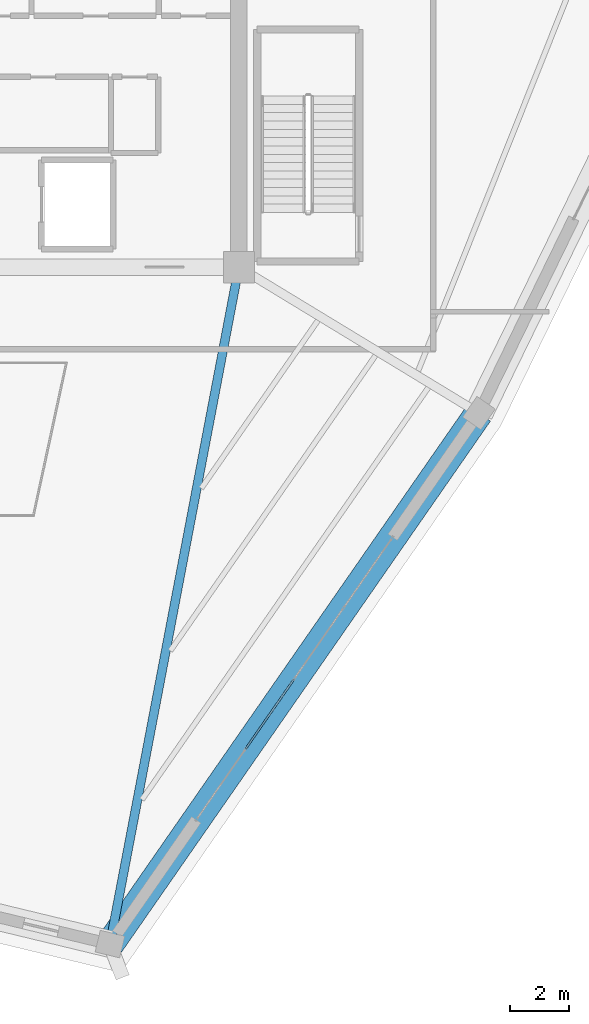
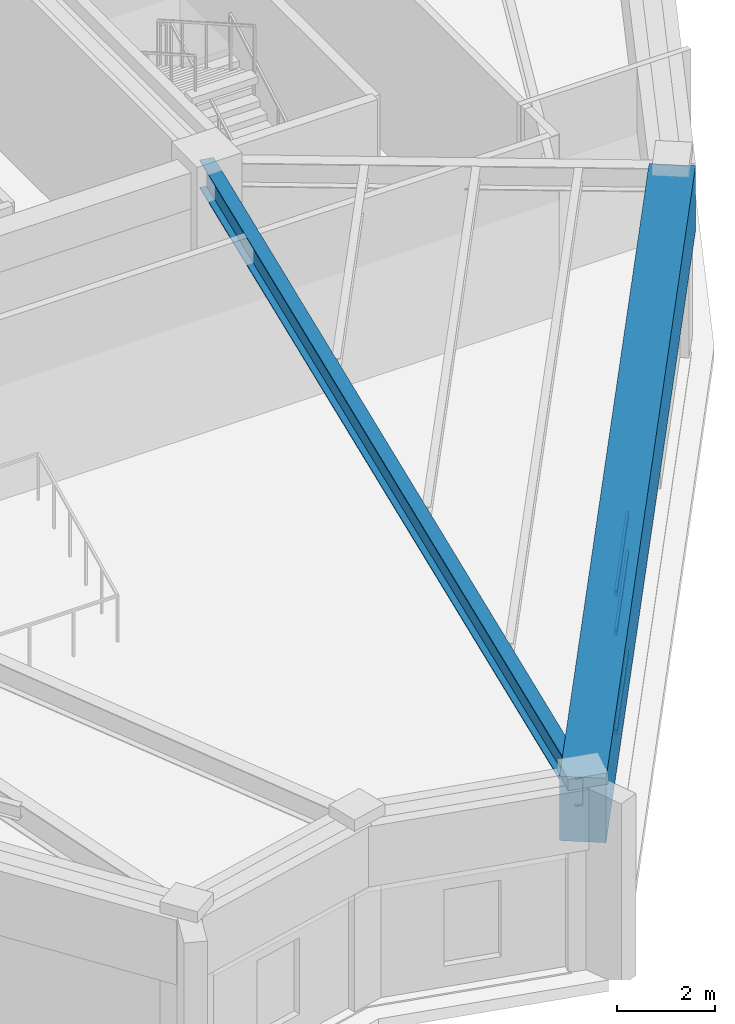
# One storey, part 11 of 40: 3 members, 2 beams, 1 element without a shape of its own.
"""IFC4 building model written with IfcOpenShell, lengths in metres."""

from ifc_helpers import new_model, si_unit, direction, frame, origin, origin_2d, place, context, subcontext, project, spatial, rectangle, hollow_rectangle, i_section, extrude, source, transform, mapped, material, layer, layer_set, material_profile, profile_set, type_object, element, aggregate, save


model = new_model("IFC4")

# Units and contexts
model_context = context("Model", 3, precision=1e-05, world=origin(), true_north=direction((0.0, 1.0)))
body_context = subcontext(model_context, "Body", "Model", "MODEL_VIEW")
ifc_project = project(units=[si_unit("LENGTHUNIT", "METRE"), si_unit("AREAUNIT", "SQUARE_METRE"), si_unit("VOLUMEUNIT", "CUBIC_METRE"), si_unit("PLANEANGLEUNIT", "RADIAN"), si_unit("MASSUNIT", "GRAM", prefix="KILO")], contexts=[model_context])

# Site, building, storey
site_placement = place(None, origin())
site = spatial("IfcSite", under=ifc_project, at=site_placement, CompositionType="ELEMENT")
building_placement = place(site_placement, origin())
building = spatial("IfcBuilding", under=site, at=building_placement, Name="Liaohun Quay Tower", CompositionType="ELEMENT")
storey_placement = place(building_placement, frame((0.0, 0.0, 351.0)))
storey = spatial("IfcBuildingStorey", under=building, at=storey_placement, Name="L91", CompositionType="ELEMENT", Elevation=351.0)

# Beams
ifc_material_1 = material(Name="Concrete C55", Category="concrete")
ifc_material_profile_1 = material_profile(ifc_material_1, rectangle(XDim=0.949951171875, YDim=1.60009765625, at=origin_2d()), Name="RC950x1600")
ifc_profile_set_1 = profile_set([ifc_material_profile_1], Name="Concrete C55")
beam_type_1 = type_object("IfcBeamType", Name="BM-CAN-LNG", PredefinedType="SPANDREL", material=ifc_profile_set_1)
shared_shape_1 = source(origin(), body_context, "Body", "SweptSolid", [
    extrude(rectangle(XDim=0.949951171875, YDim=1.60009765625, at=origin_2d()), origin(), (0.0, 0.0, 1.0), 21.80322265625),
])
beam_1_placement = place(storey_placement, frame((77.094970703125, 41.58203125, 3.719970703125), z_axis=(-0.570557168324, -0.821257887435, 0.0), x_axis=(0.821257887435, -0.570557168324, 0.0)))
element("IfcBeam", 1, at=beam_1_placement, inside=storey, type_object=beam_type_1, Name="L91 Precast Spandrel Beam PC10-PC11", PredefinedType="SPANDREL", context=body_context, shape_type="MappedRepresentation", body=[
    mapped(shared_shape_1, transform((0.0, 0.0, 0.0), x_axis=(1.0, 0.0, 0.0), y_axis=(0.0, 1.0, 0.0), z_axis=(0.0, 0.0, 1.0), scale=1.0)),
])
ifc_material_2 = material(Name="Steel Q355D", Category="steel")
ifc_material_profile_2 = material_profile(ifc_material_2, i_section(OverallWidth=0.300048828125, OverallDepth=0.699951171875, WebThickness=0.012939453125, FlangeThickness=0.02392578125, at=origin_2d()), Name="HN700x300x13x24")
ifc_profile_set_2 = profile_set([ifc_material_profile_2], Name="Steel Q355D")
beam_type_2 = type_object("IfcBeamType", Name="BM-RAD-U1", PredefinedType="BEAM", material=ifc_profile_set_2)
shared_shape_2 = source(origin(), body_context, "Body", "SweptSolid", [
    extrude(i_section(OverallWidth=0.300048828125, OverallDepth=0.699951171875, WebThickness=0.012939453125, FlangeThickness=0.02392578125, at=origin_2d()), origin(), (0.0, 0.0, 1.0), 23.23388671875),
])
beam_2_placement = place(storey_placement, frame((69.0, 46.5, 4.169921875), z_axis=(-0.187010223327, -0.982357967531, 0.0), x_axis=(0.982357967531, -0.187010223327, 0.0)))
element("IfcBeam", 2, at=beam_2_placement, inside=storey, type_object=beam_type_2, Name="L91 Radial Primary Girder CC3-PC11", PredefinedType="BEAM", context=body_context, shape_type="MappedRepresentation", body=[
    mapped(shared_shape_2, transform((0.0, 0.0, 0.0), x_axis=(1.0, 0.0, 0.0), y_axis=(0.0, 1.0, 0.0), z_axis=(0.0, 0.0, 1.0), scale=1.0)),
])

# Curtain wall, members
ifc_material_3 = material(Name="Observation gallery panoramic triple-glazed curtain wall")
ifc_layer = layer(ifc_material_3, 0.219970703125, Name="Observation gallery panoramic triple-glazed curtain wall")
ifc_layer_set = layer_set([ifc_layer], Name="Observation gallery panoramic triple-glazed curtain wall")
curtain_wall_type = type_object("IfcCurtainWallType", Name="CW-OBS-CRN", PredefinedType="NOTDEFINED", material=ifc_layer_set)
curtain_wall_placement = place(storey_placement, origin())
curtain_wall = element("IfcCurtainWall", 3, at=curtain_wall_placement, inside=storey, type_object=curtain_wall_type, Name="L91 Panoramic Belvedere Curtain Wall 01", PredefinedType="NOTDEFINED")
ifc_material_4 = material(Name="Anodised aluminium 6063-T6", Category="aluminium")
ifc_material_profile_3 = material_profile(ifc_material_4, hollow_rectangle(XDim=0.06005859375, YDim=0.135009765625, WallThickness=0.00390625, at=origin_2d()), Name="RHS135x60x4")
ifc_profile_set_3 = profile_set([ifc_material_profile_3], Name="Anodised aluminium 6063-T6")
member_type = type_object("IfcMemberType", Name="MEM-CWT-SKY", PredefinedType="USERDEFINED", material=ifc_profile_set_3)
shared_shape_3 = source(origin(), body_context, "Body", "SweptSolid", [
    extrude(hollow_rectangle(XDim=0.06005859375, YDim=0.135009765625, WallThickness=0.00390625, at=origin_2d()), origin(), (0.0, 0.0, 1.0), 2.834716796875),
])
member_1_placement = place(storey_placement, frame((69.239013671875, 30.274169921875, 0.030029296875), z_axis=(0.570557192875, 0.821257870378, 0.0), x_axis=(-0.821257870378, 0.570557192875, 0.0)))
member_1 = element("IfcMember", 4, at=member_1_placement, type_object=member_type, Name="CW6 transom 2.1", ObjectType="TRANSOM", PredefinedType="USERDEFINED", context=body_context, shape_type="MappedRepresentation", body=[
    mapped(shared_shape_3, transform((0.0, 0.0, 0.0), x_axis=(1.0, 0.0, 0.0), y_axis=(0.0, 1.0, 0.0), z_axis=(0.0, 0.0, 1.0), scale=1.0)),
])
member_2_placement = place(storey_placement, frame((69.239013671875, 30.274169921875, 2.52001953125), z_axis=(0.570557192875, 0.821257870378, 0.0), x_axis=(-0.821257870378, 0.570557192875, 0.0)))
member_2 = element("IfcMember", 5, at=member_2_placement, type_object=member_type, Name="CW6 transom 2.2", ObjectType="TRANSOM", PredefinedType="USERDEFINED", context=body_context, shape_type="MappedRepresentation", body=[
    mapped(shared_shape_3, transform((0.0, 0.0, 0.0), x_axis=(1.0, 0.0, 0.0), y_axis=(0.0, 1.0, 0.0), z_axis=(0.0, 0.0, 1.0), scale=1.0)),
])
member_3_placement = place(storey_placement, frame((69.239013671875, 30.274169921875, 3.469970703125), z_axis=(0.570557192875, 0.821257870378, 0.0), x_axis=(-0.821257870378, 0.570557192875, 0.0)))
member_3 = element("IfcMember", 6, at=member_3_placement, type_object=member_type, Name="CW6 transom 2.3", ObjectType="TRANSOM", PredefinedType="USERDEFINED", context=body_context, shape_type="MappedRepresentation", body=[
    mapped(shared_shape_3, transform((0.0, 0.0, 0.0), x_axis=(1.0, 0.0, 0.0), y_axis=(0.0, 1.0, 0.0), z_axis=(0.0, 0.0, 1.0), scale=1.0)),
])
aggregate(curtain_wall, [member_1, member_2, member_3])

save(model, "model.ifc")
